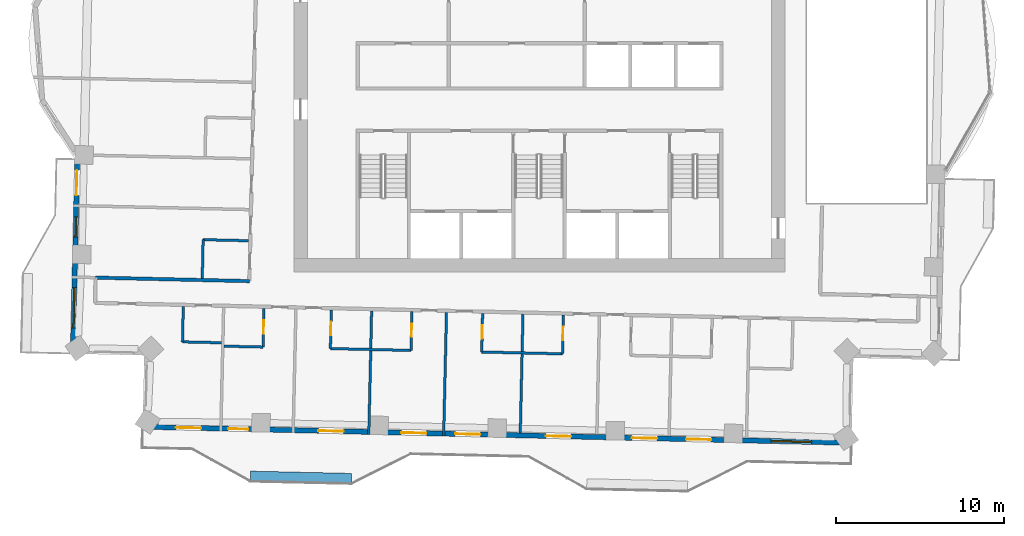
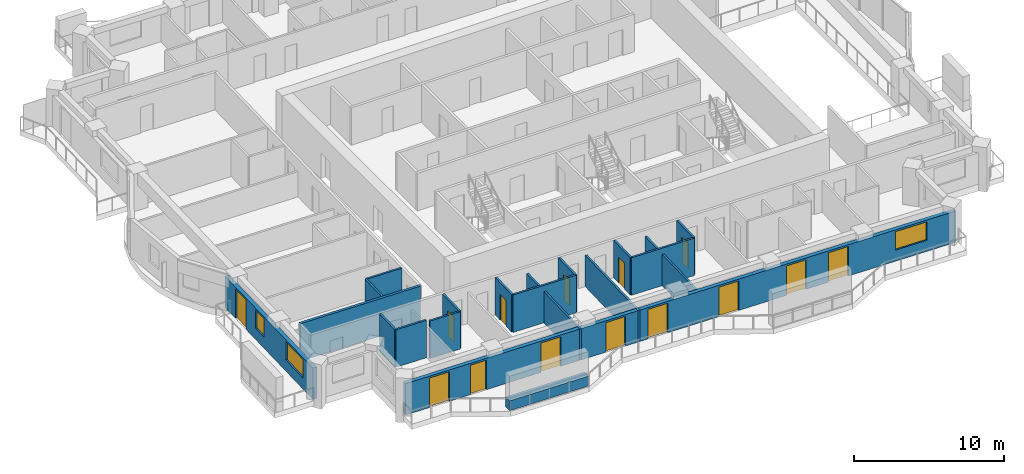
# One storey, part 4 of 14: 19 walls, 14 doors, 3 windows, 17 openings.
"""IFC4 building model written with IfcOpenShell, lengths in metres."""

from ifc_helpers import new_model, si_unit, direction, frame, frame_2d, origin, place, context, subcontext, project, spatial, rectangle, extrude, material, layer, layer_set, type_object, element, fill, save


model = new_model("IFC4")

# Units and contexts
model_context = context("Model", 3, precision=1e-05, world=origin(), true_north=direction((0.0, 1.0)))
body_context = subcontext(model_context, "Body", "Model", "MODEL_VIEW")
ifc_project = project(units=[si_unit("LENGTHUNIT", "METRE"), si_unit("AREAUNIT", "SQUARE_METRE"), si_unit("VOLUMEUNIT", "CUBIC_METRE"), si_unit("PLANEANGLEUNIT", "RADIAN"), si_unit("MASSUNIT", "GRAM", prefix="KILO")], contexts=[model_context])

# Site, building, storey
site_placement = place(None, origin())
site = spatial("IfcSite", under=ifc_project, at=site_placement, CompositionType="ELEMENT")
building_placement = place(site_placement, origin())
building = spatial("IfcBuilding", under=site, at=building_placement, Name="Mangrove Gate Tower", CompositionType="ELEMENT")
storey_placement = place(building_placement, frame((0.0, 0.0, 208.699951171875)))
storey = spatial("IfcBuildingStorey", under=building, at=storey_placement, Name="L53", CompositionType="ELEMENT", Elevation=208.699951171875)

# Wall
ifc_material_1 = material(Name="Gypsum board on steel stud, EI 60", Category="steel")
ifc_layer_1 = layer(ifc_material_1, 0.199951171875)
ifc_layer_set_1 = layer_set([ifc_layer_1], Name="Corridor wall EI 60")
wall_type_1 = type_object("IfcWallType", Name="Corridor wall EI 60", PredefinedType="PARTITIONING", material=ifc_layer_set_1)
wall_1_placement = place(storey_placement, frame((-26.386962890625, -11.94091796875, 0.0), z_axis=(0.0, 0.0, 1.0), x_axis=(0.999741076645, -0.022754772455, 0.0)))
element("IfcWall", 1, at=wall_1_placement, inside=storey, type_object=wall_type_1, Name="WALL-L53-028", PredefinedType="PARTITIONING", context=body_context, shape_type="SweptSolid", body=[
    extrude(rectangle(XDim=9.141357421875, YDim=0.199951171875, at=frame_2d((4.57080078125, 0.0))), origin(), (0.0, 0.0, 1.0), 3.050048828125),
])

# Wall, openings, door, windows
ifc_material_2 = material(Name="Limestone", Category="masonry")
ifc_layer_2 = layer(ifc_material_2, 0.0400390625, Name="Limestone cladding")
ifc_material_3 = material(Name="Ventilated air gap")
ifc_layer_3 = layer(ifc_material_3, 0.0400390625, Name="Ventilated cavity")
ifc_material_4 = material(Name="Mineral wool insulation")
ifc_layer_4 = layer(ifc_material_4, 0.06005859375, Name="Insulation")
ifc_material_5 = material(Name="Breather membrane")
ifc_layer_5 = layer(ifc_material_5, 0.001953125, Name="Breather membrane")
ifc_material_6 = material(Name="Concrete C20/25 blockwork", Category="masonry")
ifc_layer_6 = layer(ifc_material_6, 0.14990234375, Name="Blockwork backing wall")
ifc_material_7 = material(Name="Gypsum plaster")
ifc_layer_7 = layer(ifc_material_7, 0.008056640625, Name="Internal plaster")
ifc_layer_set_2 = layer_set([ifc_layer_2, ifc_layer_3, ifc_layer_4, ifc_layer_5, ifc_layer_6, ifc_layer_7], Name="External wall 300 limestone cladding")
wall_type_2 = type_object("IfcWallType", Name="External wall 300 limestone cladding", PredefinedType="SOLIDWALL", material=ifc_layer_set_2)
wall_2_placement = place(storey_placement, frame((-27.458984375, -4.091064453125, 0.0), z_axis=(0.0, 0.0, 1.0), x_axis=(-0.022668325129, -0.999743040504, 0.0)))
wall_2 = element("IfcWall", 2, at=wall_2_placement, inside=storey, type_object=wall_type_2, Name="WALL-L53-W10s1", PredefinedType="SOLIDWALL", context=body_context, shape_type="SweptSolid", body=[
    extrude(rectangle(XDim=12.22412109375, YDim=0.300048828125, at=frame_2d((6.112060546875, 0.0))), origin(), (0.0, 0.0, 1.0), 2.550048828125),
])
opening_1_placement = place(wall_2_placement, frame((1.4619140625, 0.0, 0.0)))
opening_1 = element("IfcOpeningElement", 3, at=opening_1_placement, cuts=wall_2, Name="Opening BD1", PredefinedType="OPENING", context=body_context, shape_type="SweptSolid", body=[
    extrude(rectangle(XDim=1.5, YDim=2.39990234375, at=frame_2d((0.75, 1.199951171875))), frame((0.0, 0.159912109375, 0.0), z_axis=(0.0, -1.0, 0.0), x_axis=(1.0, 0.0, 0.0)), (0.0, 0.0, 1.0), 0.320068359375),
])
opening_2_placement = place(wall_2_placement, frame((4.242919921875, 0.0, 0.89990234375)))
opening_2 = element("IfcOpeningElement", 4, at=opening_2_placement, cuts=wall_2, Name="Opening W1", PredefinedType="OPENING", context=body_context, shape_type="SweptSolid", body=[
    extrude(rectangle(XDim=1.199951171875, YDim=1.5, at=frame_2d((0.60009765625, 0.75))), frame((0.0, 0.159912109375, 0.0), z_axis=(0.0, -1.0, 0.0), x_axis=(1.0, 0.0, 0.0)), (0.0, 0.0, 1.0), 0.320068359375),
])
opening_3_placement = place(wall_2_placement, frame((8.449951171875, 0.0, 0.89990234375)))
opening_3 = element("IfcOpeningElement", 5, at=opening_3_placement, cuts=wall_2, Name="Opening W2", PredefinedType="OPENING", context=body_context, shape_type="SweptSolid", body=[
    extrude(rectangle(XDim=2.39990234375, YDim=1.5, at=frame_2d((1.199951171875, 0.75))), frame((0.0, 0.159912109375, 0.0), z_axis=(0.0, -1.0, 0.0), x_axis=(1.0, 0.0, 0.0)), (0.0, 0.0, 1.0), 0.320068359375),
])
ifc_material_8 = material(Name="Aluminium frame with laminated clear glass", Category="aluminium")
door_type_1 = type_object("IfcDoorType", Name="Balcony sliding door 1500x2400", OperationType="SLIDING_TO_LEFT", PredefinedType="DOOR", material=ifc_material_8)
door_1_placement = place(opening_1_placement, origin())
door_1 = element("IfcDoor", 6, at=door_1_placement, inside=storey, type_object=door_type_1, Name="DOOR-L53-W10-1", OperationType="SLIDING_TO_LEFT", OverallHeight=2.39990234375, OverallWidth=1.5, PredefinedType="DOOR", context=body_context, shape_type="SweptSolid", body=[
    extrude(rectangle(XDim=1.5, YDim=2.39990234375, at=frame_2d((0.75, 1.199951171875))), frame((0.0, 0.02490234375, 0.0), z_axis=(0.0, -1.0, 0.0), x_axis=(1.0, 0.0, 0.0)), (0.0, 0.0, 1.0), 0.050048828125),
])
fill(opening_1, door_1)
ifc_material_9 = material(Name="Aluminium frame with double-glazed low-e glass", Category="aluminium")
window_type_1 = type_object("IfcWindowType", Name="Corner room window 2400x1500", PartitioningType="DOUBLE_PANEL_VERTICAL", PredefinedType="WINDOW", material=ifc_material_9)
window_1_placement = place(opening_3_placement, origin())
window_1 = element("IfcWindow", 7, at=window_1_placement, inside=storey, type_object=window_type_1, Name="WIN-L53-W10-3", OverallHeight=1.5, OverallWidth=2.39990234375, PartitioningType="DOUBLE_PANEL_VERTICAL", PredefinedType="WINDOW", context=body_context, shape_type="SweptSolid", body=[
    extrude(rectangle(XDim=2.39990234375, YDim=1.5, at=frame_2d((1.199951171875, 0.75))), frame((0.0, 0.030029296875, 0.0), z_axis=(0.0, -1.0, 0.0), x_axis=(1.0, 0.0, 0.0)), (0.0, 0.0, 1.0), 0.06005859375),
])
fill(opening_3, window_1)
ifc_material_10 = material(Name="Aluminium frame with double-glazed low-e glass", Category="aluminium")
window_type_2 = type_object("IfcWindowType", Name="Side lite 1200x1500", PartitioningType="SINGLE_PANEL", PredefinedType="WINDOW", material=ifc_material_10)
window_2_placement = place(opening_2_placement, origin())
window_2 = element("IfcWindow", 8, at=window_2_placement, inside=storey, type_object=window_type_2, Name="WIN-L53-W10-2", OverallHeight=1.5, OverallWidth=1.199951171875, PartitioningType="SINGLE_PANEL", PredefinedType="WINDOW", context=body_context, shape_type="SweptSolid", body=[
    extrude(rectangle(XDim=1.199951171875, YDim=1.5, at=frame_2d((0.60009765625, 0.75))), frame((0.0, 0.030029296875, 0.0), z_axis=(0.0, -1.0, 0.0), x_axis=(1.0, 0.0, 0.0)), (0.0, 0.0, 1.0), 0.06005859375),
])
fill(opening_2, window_2)

# Wall, openings, doors, window
wall_3_placement = place(storey_placement, frame((-23.43701171875, -20.81005859375, 0.0), z_axis=(0.0, 0.0, 1.0), x_axis=(0.999742269115, -0.022702320244, 0.0)))
wall_3 = element("IfcWall", 9, at=wall_3_placement, inside=storey, type_object=wall_type_2, Name="WALL-L53-S13", PredefinedType="SOLIDWALL", context=body_context, shape_type="SweptSolid", body=[
    extrude(rectangle(XDim=41.84375, YDim=0.300048828125, at=frame_2d((20.921875, 0.0))), origin(), (0.0, 0.0, 1.0), 2.550048828125),
])
opening_4_placement = place(wall_3_placement, frame((1.824951171875, 0.0, 0.0)))
opening_4 = element("IfcOpeningElement", 10, at=opening_4_placement, cuts=wall_3, Name="Opening BD1", PredefinedType="OPENING", context=body_context, shape_type="SweptSolid", body=[
    extrude(rectangle(XDim=1.5, YDim=2.39990234375, at=frame_2d((0.75, 1.199951171875))), frame((0.0, 0.159912109375, 0.0), z_axis=(0.0, -1.0, 0.0), x_axis=(1.0, 0.0, 0.0)), (0.0, 0.0, 1.0), 0.320068359375),
])
opening_5_placement = place(wall_3_placement, frame((4.93701171875, 0.0, 0.0)))
opening_5 = element("IfcOpeningElement", 11, at=opening_5_placement, cuts=wall_3, Name="Opening BD2", PredefinedType="OPENING", context=body_context, shape_type="SweptSolid", body=[
    extrude(rectangle(XDim=1.199951171875, YDim=2.39990234375, at=frame_2d((0.60009765625, 1.199951171875))), frame((0.0, 0.159912109375, 0.0), z_axis=(0.0, -1.0, 0.0), x_axis=(1.0, 0.0, 0.0)), (0.0, 0.0, 1.0), 0.320068359375),
])
opening_6_placement = place(wall_3_placement, frame((10.300048828125, 0.0, 0.0)))
opening_6 = element("IfcOpeningElement", 12, at=opening_6_placement, cuts=wall_3, Name="Opening BD1", PredefinedType="OPENING", context=body_context, shape_type="SweptSolid", body=[
    extrude(rectangle(XDim=1.5, YDim=2.39990234375, at=frame_2d((0.75, 1.199951171875))), frame((0.0, 0.159912109375, 0.0), z_axis=(0.0, -1.0, 0.0), x_axis=(1.0, 0.0, 0.0)), (0.0, 0.0, 1.0), 0.320068359375),
])
opening_7_placement = place(wall_3_placement, frame((15.22412109375, 0.0, 0.0)))
opening_7 = element("IfcOpeningElement", 13, at=opening_7_placement, cuts=wall_3, Name="Opening BD1", PredefinedType="OPENING", context=body_context, shape_type="SweptSolid", body=[
    extrude(rectangle(XDim=1.5, YDim=2.39990234375, at=frame_2d((0.75, 1.199951171875))), frame((0.0, 0.159912109375, 0.0), z_axis=(0.0, -1.0, 0.0), x_axis=(1.0, 0.0, 0.0)), (0.0, 0.0, 1.0), 0.320068359375),
])
opening_8_placement = place(wall_3_placement, frame((18.43603515625, 0.0, 0.0)))
opening_8 = element("IfcOpeningElement", 14, at=opening_8_placement, cuts=wall_3, Name="Opening BD1", PredefinedType="OPENING", context=body_context, shape_type="SweptSolid", body=[
    extrude(rectangle(XDim=1.5, YDim=2.39990234375, at=frame_2d((0.75, 1.199951171875))), frame((0.0, 0.159912109375, 0.0), z_axis=(0.0, -1.0, 0.0), x_axis=(1.0, 0.0, 0.0)), (0.0, 0.0, 1.0), 0.320068359375),
])
opening_9_placement = place(wall_3_placement, frame((23.824951171875, 0.0, 0.0)))
opening_9 = element("IfcOpeningElement", 15, at=opening_9_placement, cuts=wall_3, Name="Opening BD1", PredefinedType="OPENING", context=body_context, shape_type="SweptSolid", body=[
    extrude(rectangle(XDim=1.5, YDim=2.39990234375, at=frame_2d((0.75, 1.199951171875))), frame((0.0, 0.159912109375, 0.0), z_axis=(0.0, -1.0, 0.0), x_axis=(1.0, 0.0, 0.0)), (0.0, 0.0, 1.0), 0.320068359375),
])
opening_10_placement = place(wall_3_placement, frame((28.947998046875, 0.0, 0.0)))
opening_10 = element("IfcOpeningElement", 16, at=opening_10_placement, cuts=wall_3, Name="Opening BD1", PredefinedType="OPENING", context=body_context, shape_type="SweptSolid", body=[
    extrude(rectangle(XDim=1.5, YDim=2.39990234375, at=frame_2d((0.75, 1.199951171875))), frame((0.0, 0.159912109375, 0.0), z_axis=(0.0, -1.0, 0.0), x_axis=(1.0, 0.0, 0.0)), (0.0, 0.0, 1.0), 0.320068359375),
])
opening_11_placement = place(wall_3_placement, frame((32.159912109375, 0.0, 0.0)))
opening_11 = element("IfcOpeningElement", 17, at=opening_11_placement, cuts=wall_3, Name="Opening BD1", PredefinedType="OPENING", context=body_context, shape_type="SweptSolid", body=[
    extrude(rectangle(XDim=1.5, YDim=2.39990234375, at=frame_2d((0.75, 1.199951171875))), frame((0.0, 0.159912109375, 0.0), z_axis=(0.0, -1.0, 0.0), x_axis=(1.0, 0.0, 0.0)), (0.0, 0.0, 1.0), 0.320068359375),
])
opening_12_placement = place(wall_3_placement, frame((37.22412109375, 0.0, 0.89990234375)))
opening_12 = element("IfcOpeningElement", 18, at=opening_12_placement, cuts=wall_3, Name="Opening W2", PredefinedType="OPENING", context=body_context, shape_type="SweptSolid", body=[
    extrude(rectangle(XDim=2.39990234375, YDim=1.5, at=frame_2d((1.199951171875, 0.75))), frame((0.0, 0.159912109375, 0.0), z_axis=(0.0, -1.0, 0.0), x_axis=(1.0, 0.0, 0.0)), (0.0, 0.0, 1.0), 0.320068359375),
])
ifc_material_11 = material(Name="Aluminium frame with laminated clear glass", Category="aluminium")
door_type_2 = type_object("IfcDoorType", Name="Balcony sliding door 1200x2400", OperationType="SLIDING_TO_LEFT", PredefinedType="DOOR", material=ifc_material_11)
door_2_placement = place(opening_5_placement, origin())
door_2 = element("IfcDoor", 19, at=door_2_placement, inside=storey, type_object=door_type_2, Name="DOOR-L53-S13-2", OperationType="SLIDING_TO_LEFT", OverallHeight=2.39990234375, OverallWidth=1.199951171875, PredefinedType="DOOR", context=body_context, shape_type="SweptSolid", body=[
    extrude(rectangle(XDim=1.199951171875, YDim=2.39990234375, at=frame_2d((0.60009765625, 1.199951171875))), frame((0.0, 0.02490234375, 0.0), z_axis=(0.0, -1.0, 0.0), x_axis=(1.0, 0.0, 0.0)), (0.0, 0.0, 1.0), 0.050048828125),
])
fill(opening_5, door_2)
door_3_placement = place(opening_4_placement, origin())
door_3 = element("IfcDoor", 20, at=door_3_placement, inside=storey, type_object=door_type_1, Name="DOOR-L53-S13-1", OperationType="SLIDING_TO_LEFT", OverallHeight=2.39990234375, OverallWidth=1.5, PredefinedType="DOOR", context=body_context, shape_type="SweptSolid", body=[
    extrude(rectangle(XDim=1.5, YDim=2.39990234375, at=frame_2d((0.75, 1.199951171875))), frame((0.0, 0.02490234375, 0.0), z_axis=(0.0, -1.0, 0.0), x_axis=(1.0, 0.0, 0.0)), (0.0, 0.0, 1.0), 0.050048828125),
])
fill(opening_4, door_3)
door_4_placement = place(opening_6_placement, origin())
door_4 = element("IfcDoor", 21, at=door_4_placement, inside=storey, type_object=door_type_1, Name="DOOR-L53-S13-3", OperationType="SLIDING_TO_LEFT", OverallHeight=2.39990234375, OverallWidth=1.5, PredefinedType="DOOR", context=body_context, shape_type="SweptSolid", body=[
    extrude(rectangle(XDim=1.5, YDim=2.39990234375, at=frame_2d((0.75, 1.199951171875))), frame((0.0, 0.02490234375, 0.0), z_axis=(0.0, -1.0, 0.0), x_axis=(1.0, 0.0, 0.0)), (0.0, 0.0, 1.0), 0.050048828125),
])
fill(opening_6, door_4)
door_5_placement = place(opening_7_placement, origin())
door_5 = element("IfcDoor", 22, at=door_5_placement, inside=storey, type_object=door_type_1, Name="DOOR-L53-S13-4", OperationType="SLIDING_TO_LEFT", OverallHeight=2.39990234375, OverallWidth=1.5, PredefinedType="DOOR", context=body_context, shape_type="SweptSolid", body=[
    extrude(rectangle(XDim=1.5, YDim=2.39990234375, at=frame_2d((0.75, 1.199951171875))), frame((0.0, 0.02490234375, 0.0), z_axis=(0.0, -1.0, 0.0), x_axis=(1.0, 0.0, 0.0)), (0.0, 0.0, 1.0), 0.050048828125),
])
fill(opening_7, door_5)
door_6_placement = place(opening_8_placement, origin())
door_6 = element("IfcDoor", 23, at=door_6_placement, inside=storey, type_object=door_type_1, Name="DOOR-L53-S13-5", OperationType="SLIDING_TO_LEFT", OverallHeight=2.39990234375, OverallWidth=1.5, PredefinedType="DOOR", context=body_context, shape_type="SweptSolid", body=[
    extrude(rectangle(XDim=1.5, YDim=2.39990234375, at=frame_2d((0.75, 1.199951171875))), frame((0.0, 0.02490234375, 0.0), z_axis=(0.0, -1.0, 0.0), x_axis=(1.0, 0.0, 0.0)), (0.0, 0.0, 1.0), 0.050048828125),
])
fill(opening_8, door_6)
door_7_placement = place(opening_9_placement, origin())
door_7 = element("IfcDoor", 24, at=door_7_placement, inside=storey, type_object=door_type_1, Name="DOOR-L53-S13-6", OperationType="SLIDING_TO_LEFT", OverallHeight=2.39990234375, OverallWidth=1.5, PredefinedType="DOOR", context=body_context, shape_type="SweptSolid", body=[
    extrude(rectangle(XDim=1.5, YDim=2.39990234375, at=frame_2d((0.75, 1.199951171875))), frame((0.0, 0.02490234375, 0.0), z_axis=(0.0, -1.0, 0.0), x_axis=(1.0, 0.0, 0.0)), (0.0, 0.0, 1.0), 0.050048828125),
])
fill(opening_9, door_7)
door_8_placement = place(opening_10_placement, origin())
door_8 = element("IfcDoor", 25, at=door_8_placement, inside=storey, type_object=door_type_1, Name="DOOR-L53-S13-7", OperationType="SLIDING_TO_LEFT", OverallHeight=2.39990234375, OverallWidth=1.5, PredefinedType="DOOR", context=body_context, shape_type="SweptSolid", body=[
    extrude(rectangle(XDim=1.5, YDim=2.39990234375, at=frame_2d((0.75, 1.199951171875))), frame((0.0, 0.02490234375, 0.0), z_axis=(0.0, -1.0, 0.0), x_axis=(1.0, 0.0, 0.0)), (0.0, 0.0, 1.0), 0.050048828125),
])
fill(opening_10, door_8)
door_9_placement = place(opening_11_placement, origin())
door_9 = element("IfcDoor", 26, at=door_9_placement, inside=storey, type_object=door_type_1, Name="DOOR-L53-S13-8", OperationType="SLIDING_TO_LEFT", OverallHeight=2.39990234375, OverallWidth=1.5, PredefinedType="DOOR", context=body_context, shape_type="SweptSolid", body=[
    extrude(rectangle(XDim=1.5, YDim=2.39990234375, at=frame_2d((0.75, 1.199951171875))), frame((0.0, 0.02490234375, 0.0), z_axis=(0.0, -1.0, 0.0), x_axis=(1.0, 0.0, 0.0)), (0.0, 0.0, 1.0), 0.050048828125),
])
fill(opening_11, door_9)
window_3_placement = place(opening_12_placement, origin())
window_3 = element("IfcWindow", 27, at=window_3_placement, inside=storey, type_object=window_type_1, Name="WIN-L53-S13-9", OverallHeight=1.5, OverallWidth=2.39990234375, PartitioningType="DOUBLE_PANEL_VERTICAL", PredefinedType="WINDOW", context=body_context, shape_type="SweptSolid", body=[
    extrude(rectangle(XDim=2.39990234375, YDim=1.5, at=frame_2d((1.199951171875, 0.75))), frame((0.0, 0.030029296875, 0.0), z_axis=(0.0, -1.0, 0.0), x_axis=(1.0, 0.0, 0.0)), (0.0, 0.0, 1.0), 0.06005859375),
])
fill(opening_12, window_3)

# Walls
ifc_material_12 = material(Name="Gypsum board on steel stud, EI 60", Category="steel")
ifc_layer_8 = layer(ifc_material_12, 0.14990234375)
ifc_layer_set_3 = layer_set([ifc_layer_8], Name="Party wall 150 EI 60")
wall_type_3 = type_object("IfcWallType", Name="Party wall 150 EI 60", PredefinedType="PARTITIONING", material=ifc_layer_set_3)
wall_4_placement = place(storey_placement, frame((-10.14208984375, -21.261962890625, 0.0), z_axis=(0.0, 0.0, 1.0), x_axis=(0.022720650804, 0.999741852694, 0.0)))
element("IfcWall", 28, at=wall_4_placement, inside=storey, type_object=wall_type_3, Name="WALL-L53-003", PredefinedType="PARTITIONING", context=body_context, shape_type="SweptSolid", body=[
    extrude(rectangle(XDim=7.349853515625, YDim=0.14990234375, at=frame_2d((3.6748046875, 0.0))), origin(), (0.0, 0.0, 1.0), 2.550048828125),
])
wall_5_placement = place(storey_placement, frame((-5.693115234375, -21.363037109375, 0.0), z_axis=(0.0, 0.0, 1.0), x_axis=(0.022753095343, 0.999741114815, 0.0)))
element("IfcWall", 29, at=wall_5_placement, inside=storey, type_object=wall_type_3, Name="WALL-L53-004", PredefinedType="PARTITIONING", context=body_context, shape_type="SweptSolid", body=[
    extrude(rectangle(XDim=7.35009765625, YDim=0.14990234375, at=frame_2d((3.675048828125, 0.0))), origin(), (0.0, 0.0, 1.0), 2.550048828125),
])
wall_6_placement = place(storey_placement, frame((-1.137939453125, -21.166015625, 0.0), z_axis=(0.0, 0.0, 1.0), x_axis=(0.022682859663, 0.99974271084, 0.0)))
element("IfcWall", 30, at=wall_6_placement, inside=storey, type_object=wall_type_3, Name="WALL-L53-005", PredefinedType="PARTITIONING", context=body_context, shape_type="SweptSolid", body=[
    extrude(rectangle(XDim=7.0498046875, YDim=0.14990234375, at=frame_2d((3.52490234375, 0.0))), origin(), (0.0, 0.0, 1.0), 2.550048828125),
])
wall_7_placement = place(storey_placement, frame((-18.751953125, -16.014892578125, 0.0), z_axis=(0.0, 0.0, 1.0), x_axis=(0.999737862264, -0.022895561926, 0.0)))
element("IfcWall", 31, at=wall_7_placement, inside=storey, type_object=wall_type_3, Name="WALL-L53-011", PredefinedType="PARTITIONING", context=body_context, shape_type="SweptSolid", body=[
    extrude(rectangle(XDim=2.324462890625, YDim=0.14990234375, at=frame_2d((1.162109375, 0.0))), origin(), (0.0, 0.0, 1.0), 3.050048828125),
])

# Wall, opening, door
wall_8_placement = place(storey_placement, frame((-16.426025390625, -16.068115234375, 0.0), z_axis=(0.0, 0.0, 1.0), x_axis=(0.022612884682, 0.999744296031, 0.0)))
wall_8 = element("IfcWall", 32, at=wall_8_placement, inside=storey, type_object=wall_type_3, Name="WALL-L53-012", PredefinedType="PARTITIONING", context=body_context, shape_type="SweptSolid", body=[
    extrude(rectangle(XDim=2.299560546875, YDim=0.14990234375, at=frame_2d((1.14990234375, 0.0))), origin(), (0.0, 0.0, 1.0), 3.050048828125),
])
opening_13_placement = place(wall_8_placement, frame((0.800048828125, 0.0, 0.0)))
opening_13 = element("IfcOpeningElement", 33, at=opening_13_placement, cuts=wall_8, Name="Opening ED", PredefinedType="OPENING", context=body_context, shape_type="SweptSolid", body=[
    extrude(rectangle(XDim=0.800048828125, YDim=2.10009765625, at=frame_2d((0.39990234375, 1.050048828125))), frame((0.0, 0.0849609375, 0.0), z_axis=(0.0, -1.0, 0.0), x_axis=(1.0, 0.0, 0.0)), (0.0, 0.0, 1.0), 0.169921875),
])
ifc_material_13 = material(Name="Timber door leaf", Category="wood")
door_type_3 = type_object("IfcDoorType", Name="En-suite door 800", OperationType="SINGLE_SWING_LEFT", PredefinedType="DOOR", material=ifc_material_13)
door_10_placement = place(opening_13_placement, origin())
door_10 = element("IfcDoor", 34, at=door_10_placement, inside=storey, type_object=door_type_3, Name="DOOR-L53-ENS-c101", OperationType="SINGLE_SWING_LEFT", OverallHeight=2.10009765625, OverallWidth=0.800048828125, PredefinedType="DOOR", context=body_context, shape_type="SweptSolid", body=[
    extrude(rectangle(XDim=0.800048828125, YDim=2.10009765625, at=frame_2d((0.39990234375, 1.050048828125))), frame((0.0, 0.02490234375, 0.0), z_axis=(0.0, -1.0, 0.0), x_axis=(1.0, 0.0, 0.0)), (0.0, 0.0, 1.0), 0.050048828125),
])
fill(opening_13, door_10)

# Wall
wall_9_placement = place(storey_placement, frame((-12.428955078125, -16.158935546875, 0.0), z_axis=(0.0, 0.0, 1.0), x_axis=(0.99974154664, -0.022734113616, 0.0)))
element("IfcWall", 35, at=wall_9_placement, inside=storey, type_object=wall_type_3, Name="WALL-L53-013", PredefinedType="PARTITIONING", context=body_context, shape_type="SweptSolid", body=[
    extrude(rectangle(XDim=4.80029296875, YDim=0.14990234375, at=frame_2d((2.400146484375, 0.0))), origin(), (0.0, 0.0, 1.0), 3.050048828125),
])

# Wall, opening, door
wall_10_placement = place(storey_placement, frame((-12.427001953125, -16.158935546875, 0.0), z_axis=(0.0, 0.0, 1.0), x_axis=(0.022615284993, 0.999744241736, 0.0)))
wall_10 = element("IfcWall", 36, at=wall_10_placement, inside=storey, type_object=wall_type_3, Name="WALL-L53-014", PredefinedType="PARTITIONING", context=body_context, shape_type="SweptSolid", body=[
    extrude(rectangle(XDim=2.29931640625, YDim=0.14990234375, at=frame_2d((1.149658203125, 0.0))), origin(), (0.0, 0.0, 1.0), 3.050048828125),
])
opening_14_placement = place(wall_10_placement, frame((0.800048828125, 0.0, 0.0)))
opening_14 = element("IfcOpeningElement", 37, at=opening_14_placement, cuts=wall_10, Name="Opening ED", PredefinedType="OPENING", context=body_context, shape_type="SweptSolid", body=[
    extrude(rectangle(XDim=0.800048828125, YDim=2.10009765625, at=frame_2d((0.39990234375, 1.050048828125))), frame((0.0, 0.0849609375, 0.0), z_axis=(0.0, -1.0, 0.0), x_axis=(1.0, 0.0, 0.0)), (0.0, 0.0, 1.0), 0.169921875),
])
door_11_placement = place(opening_14_placement, origin())
door_11 = element("IfcDoor", 38, at=door_11_placement, inside=storey, type_object=door_type_3, Name="DOOR-L53-ENS-c102", OperationType="SINGLE_SWING_RIGHT", OverallHeight=2.10009765625, OverallWidth=0.800048828125, PredefinedType="DOOR", context=body_context, shape_type="SweptSolid", body=[
    extrude(rectangle(XDim=0.800048828125, YDim=2.10009765625, at=frame_2d((0.39990234375, 1.050048828125))), frame((0.0, 0.02490234375, 0.0), z_axis=(0.0, -1.0, 0.0), x_axis=(1.0, 0.0, 0.0)), (0.0, 0.0, 1.0), 0.050048828125),
])
fill(opening_14, door_11)

wall_11_placement = place(storey_placement, frame((-7.6279296875, -16.26806640625, 0.0), z_axis=(0.0, 0.0, 1.0), x_axis=(0.022603288534, 0.999744513037, 0.0)))
wall_11 = element("IfcWall", 39, at=wall_11_placement, inside=storey, type_object=wall_type_3, Name="WALL-L53-015", PredefinedType="PARTITIONING", context=body_context, shape_type="SweptSolid", body=[
    extrude(rectangle(XDim=2.300537109375, YDim=0.14990234375, at=frame_2d((1.150390625, 0.0))), origin(), (0.0, 0.0, 1.0), 3.050048828125),
])
opening_15_placement = place(wall_11_placement, frame((0.800048828125, 0.0, 0.0)))
opening_15 = element("IfcOpeningElement", 40, at=opening_15_placement, cuts=wall_11, Name="Opening ED", PredefinedType="OPENING", context=body_context, shape_type="SweptSolid", body=[
    extrude(rectangle(XDim=0.800048828125, YDim=2.10009765625, at=frame_2d((0.39990234375, 1.050048828125))), frame((0.0, 0.0849609375, 0.0), z_axis=(0.0, -1.0, 0.0), x_axis=(1.0, 0.0, 0.0)), (0.0, 0.0, 1.0), 0.169921875),
])
door_12_placement = place(opening_15_placement, origin())
door_12 = element("IfcDoor", 41, at=door_12_placement, inside=storey, type_object=door_type_3, Name="DOOR-L53-ENS-c103", OperationType="SINGLE_SWING_LEFT", OverallHeight=2.10009765625, OverallWidth=0.800048828125, PredefinedType="DOOR", context=body_context, shape_type="SweptSolid", body=[
    extrude(rectangle(XDim=0.800048828125, YDim=2.10009765625, at=frame_2d((0.39990234375, 1.050048828125))), frame((0.0, 0.02490234375, 0.0), z_axis=(0.0, -1.0, 0.0), x_axis=(1.0, 0.0, 0.0)), (0.0, 0.0, 1.0), 0.050048828125),
])
fill(opening_15, door_12)

# Wall
wall_12_placement = place(storey_placement, frame((-3.430908203125, -16.363037109375, 0.0), z_axis=(0.0, 0.0, 1.0), x_axis=(0.999742675121, -0.022684433919, 0.0)))
element("IfcWall", 42, at=wall_12_placement, inside=storey, type_object=wall_type_3, Name="WALL-L53-016", PredefinedType="PARTITIONING", context=body_context, shape_type="SweptSolid", body=[
    extrude(rectangle(XDim=4.800048828125, YDim=0.14990234375, at=frame_2d((2.39990234375, 0.0))), origin(), (0.0, 0.0, 1.0), 3.050048828125),
])

# Wall, opening, door
wall_13_placement = place(storey_placement, frame((-3.428955078125, -16.363037109375, 0.0), z_axis=(0.0, 0.0, 1.0), x_axis=(0.022612884682, 0.999744296031, 0.0)))
wall_13 = element("IfcWall", 43, at=wall_13_placement, inside=storey, type_object=wall_type_3, Name="WALL-L53-017", PredefinedType="PARTITIONING", context=body_context, shape_type="SweptSolid", body=[
    extrude(rectangle(XDim=2.299560546875, YDim=0.14990234375, at=frame_2d((1.14990234375, 0.0))), origin(), (0.0, 0.0, 1.0), 3.050048828125),
])
opening_16_placement = place(wall_13_placement, frame((0.800048828125, 0.0, 0.0)))
opening_16 = element("IfcOpeningElement", 44, at=opening_16_placement, cuts=wall_13, Name="Opening ED", PredefinedType="OPENING", context=body_context, shape_type="SweptSolid", body=[
    extrude(rectangle(XDim=0.800048828125, YDim=2.10009765625, at=frame_2d((0.39990234375, 1.050048828125))), frame((0.0, 0.0849609375, 0.0), z_axis=(0.0, -1.0, 0.0), x_axis=(1.0, 0.0, 0.0)), (0.0, 0.0, 1.0), 0.169921875),
])
door_13_placement = place(opening_16_placement, origin())
door_13 = element("IfcDoor", 45, at=door_13_placement, inside=storey, type_object=door_type_3, Name="DOOR-L53-ENS-c204", OperationType="SINGLE_SWING_RIGHT", OverallHeight=2.10009765625, OverallWidth=0.800048828125, PredefinedType="DOOR", context=body_context, shape_type="SweptSolid", body=[
    extrude(rectangle(XDim=0.800048828125, YDim=2.10009765625, at=frame_2d((0.39990234375, 1.050048828125))), frame((0.0, 0.02490234375, 0.0), z_axis=(0.0, -1.0, 0.0), x_axis=(1.0, 0.0, 0.0)), (0.0, 0.0, 1.0), 0.050048828125),
])
fill(opening_16, door_13)

wall_14_placement = place(storey_placement, frame((1.3701171875, -16.471923828125, 0.0), z_axis=(0.0, 0.0, 1.0), x_axis=(0.022615284993, 0.999744241736, 0.0)))
wall_14 = element("IfcWall", 46, at=wall_14_placement, inside=storey, type_object=wall_type_3, Name="WALL-L53-018", PredefinedType="PARTITIONING", context=body_context, shape_type="SweptSolid", body=[
    extrude(rectangle(XDim=2.29931640625, YDim=0.14990234375, at=frame_2d((1.149658203125, 0.0))), origin(), (0.0, 0.0, 1.0), 3.050048828125),
])
opening_17_placement = place(wall_14_placement, frame((0.800048828125, 0.0, 0.0)))
opening_17 = element("IfcOpeningElement", 47, at=opening_17_placement, cuts=wall_14, Name="Opening ED", PredefinedType="OPENING", context=body_context, shape_type="SweptSolid", body=[
    extrude(rectangle(XDim=0.800048828125, YDim=2.10009765625, at=frame_2d((0.39990234375, 1.050048828125))), frame((0.0, 0.0849609375, 0.0), z_axis=(0.0, -1.0, 0.0), x_axis=(1.0, 0.0, 0.0)), (0.0, 0.0, 1.0), 0.169921875),
])
door_14_placement = place(opening_17_placement, origin())
door_14 = element("IfcDoor", 48, at=door_14_placement, inside=storey, type_object=door_type_3, Name="DOOR-L53-ENS-c205", OperationType="SINGLE_SWING_LEFT", OverallHeight=2.10009765625, OverallWidth=0.800048828125, PredefinedType="DOOR", context=body_context, shape_type="SweptSolid", body=[
    extrude(rectangle(XDim=0.800048828125, YDim=2.10009765625, at=frame_2d((0.39990234375, 1.050048828125))), frame((0.0, 0.02490234375, 0.0), z_axis=(0.0, -1.0, 0.0), x_axis=(1.0, 0.0, 0.0)), (0.0, 0.0, 1.0), 0.050048828125),
])
fill(opening_17, door_14)

# Walls
wall_15_placement = place(storey_placement, frame((-21.221923828125, -15.759033203125, 0.0), z_axis=(0.0, 0.0, 1.0), x_axis=(0.999740260747, -0.02279059109, 0.0)))
element("IfcWall", 49, at=wall_15_placement, inside=storey, type_object=wall_type_3, Name="WALL-L53-022", PredefinedType="PARTITIONING", context=body_context, shape_type="SweptSolid", body=[
    extrude(rectangle(XDim=2.324462890625, YDim=0.14990234375, at=frame_2d((1.162109375, 0.0))), origin(), (0.0, 0.0, 1.0), 3.050048828125),
])
wall_16_placement = place(storey_placement, frame((-21.219970703125, -15.759033203125, 0.0), z_axis=(0.0, 0.0, 1.0), x_axis=(0.02279007832, 0.999740272436, 0.0)))
element("IfcWall", 50, at=wall_16_placement, inside=storey, type_object=wall_type_3, Name="WALL-L53-023", PredefinedType="PARTITIONING", context=body_context, shape_type="SweptSolid", body=[
    extrude(rectangle(XDim=2.099609375, YDim=0.14990234375, at=frame_2d((1.0498046875, 0.0))), origin(), (0.0, 0.0, 1.0), 3.050048828125),
])
wall_17_placement = place(storey_placement, frame((-20.0439453125, -11.985107421875, 0.0), z_axis=(0.0, 0.0, 1.0), x_axis=(0.022612884682, 0.999744296031, 0.0)))
element("IfcWall", 51, at=wall_17_placement, inside=storey, type_object=wall_type_3, Name="WALL-L53-029", PredefinedType="PARTITIONING", context=body_context, shape_type="SweptSolid", body=[
    extrude(rectangle(XDim=2.299560546875, YDim=0.14990234375, at=frame_2d((1.14990234375, 0.0))), origin(), (0.0, 0.0, 1.0), 3.050048828125),
])
wall_18_placement = place(storey_placement, frame((-19.992919921875, -9.68603515625, 0.0), z_axis=(0.0, 0.0, 1.0), x_axis=(0.999744396973, -0.02260842146, 0.0)))
element("IfcWall", 52, at=wall_18_placement, inside=storey, type_object=wall_type_3, Name="WALL-L53-034", PredefinedType="PARTITIONING", context=body_context, shape_type="SweptSolid", body=[
    extrude(rectangle(XDim=2.69970703125, YDim=0.14990234375, at=frame_2d((1.349853515625, 0.0))), origin(), (0.0, 0.0, 1.0), 3.050048828125),
])
ifc_material_14 = material(Name="Concrete C32/40", Category="concrete")
ifc_layer_9 = layer(ifc_material_14, 0.199951171875, Name="Planter trough wall")
ifc_material_15 = material(Name="Bituminous waterproofing membrane")
ifc_layer_10 = layer(ifc_material_15, 0.0048828125, Name="Waterproofing")
ifc_material_16 = material(Name="Drainage board and gravel")
ifc_layer_11 = layer(ifc_material_16, 0.044921875, Name="Drainage layer")
ifc_material_17 = material(Name="Planting soil")
ifc_layer_12 = layer(ifc_material_17, 0.300048828125, Name="Growing medium")
ifc_layer_set_4 = layer_set([ifc_layer_9, ifc_layer_10, ifc_layer_11, ifc_layer_12], Name="Planter wall 550 C32/40")
wall_type_4 = type_object("IfcWallType", Name="Planter wall 550 C32/40", PredefinedType="USERDEFINED", material=ifc_layer_set_4)
wall_19_placement = place(storey_placement, frame((-17.179931640625, -23.718017578125, 0.0), z_axis=(0.0, 0.0, 1.0), x_axis=(0.999743178102, -0.022662255828, 0.0)))
element("IfcWall", 53, at=wall_19_placement, inside=storey, type_object=wall_type_4, Name="PLANTER L53 S0.1", ObjectType="PLANTER", PredefinedType="USERDEFINED", context=body_context, shape_type="SweptSolid", body=[
    extrude(rectangle(XDim=6.00048828125, YDim=0.550048828125, at=frame_2d((3.000244140625, 0.0))), origin(), (0.0, 0.0, 1.0), 0.800048828125),
])

save(model, "model.ifc")
